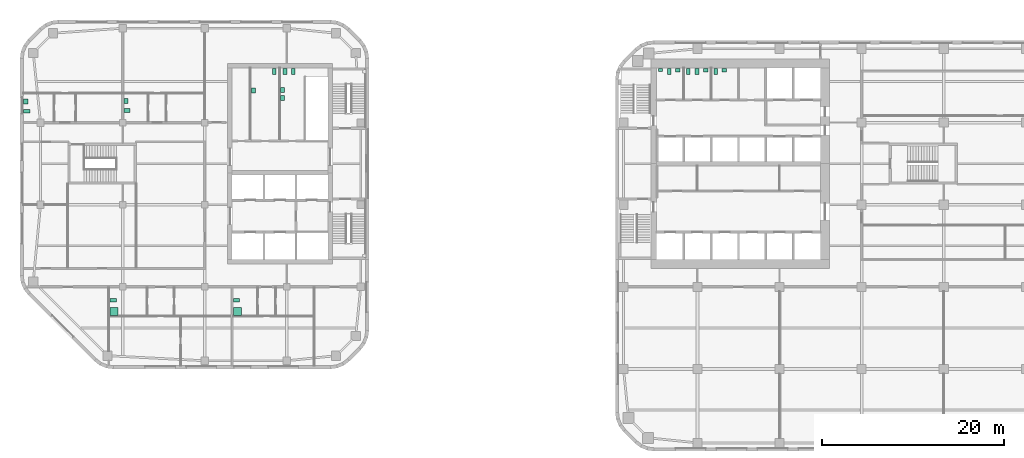
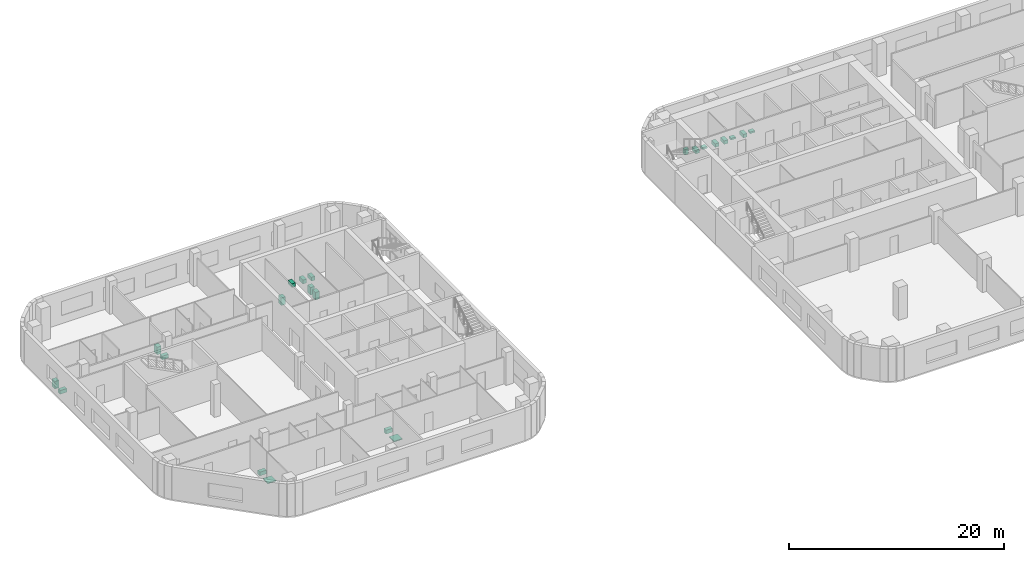
# One storey, part 15 of 15: 22 sanitary terminals.
"""IFC4 building model written with IfcOpenShell, lengths in metres."""

from ifc_helpers import new_model, si_unit, direction, frame, origin, origin_2d, place, context, subcontext, project, spatial, rectangle, extrude, material, type_object, element, save


model = new_model("IFC4")

# Units and contexts
model_context = context("Model", 3, precision=1e-05, world=origin(), true_north=direction((0.0, 1.0)))
body_context = subcontext(model_context, "Body", "Model", "MODEL_VIEW")
ifc_project = project(units=[si_unit("LENGTHUNIT", "METRE"), si_unit("AREAUNIT", "SQUARE_METRE"), si_unit("VOLUMEUNIT", "CUBIC_METRE"), si_unit("PLANEANGLEUNIT", "RADIAN"), si_unit("MASSUNIT", "GRAM", prefix="KILO")], contexts=[model_context])

# Site, building, storey
site_placement = place(None, origin())
site = spatial("IfcSite", under=ifc_project, at=site_placement, CompositionType="ELEMENT")
building_placement = place(site_placement, origin())
building = spatial("IfcBuilding", under=site, at=building_placement, Name="Cinnabar Reach Civic Tower", CompositionType="ELEMENT")
storey_placement = place(building_placement, frame((0.0, 0.0, 91.0)))
storey = spatial("IfcBuildingStorey", under=building, at=storey_placement, Name="L21", CompositionType="ELEMENT", Elevation=91.0)

# Sanitary terminals
ifc_material_1 = material(Name="Vitreous china")
sanitary_terminal_type_1 = type_object("IfcSanitaryTerminalType", Name="T1 WC pan", PredefinedType="TOILETPAN", material=ifc_material_1)
for number, where, z_axis, x_axis, name in (
    (1, (5.9, 41.6, 0.0), (0.0, 0.0, 1.0), (1.0, 0.0, 0.0), "T1 WC pan 2107-2"),
    (2, (8.0, 41.6, 0.0), (0.0, 0.0, 1.0), (1.0, 0.0, 0.0), "T1 WC pan 2108-1"),
    (3, (8.95, 41.6, 0.0), (0.0, 0.0, 1.0), (1.0, 0.0, 0.0), "T1 WC pan 2108-2"),
    (4, (11.0, 41.6, 0.0), (0.0, 0.0, 1.0), (1.0, 0.0, 0.0), "T1 WC pan 2109-1"),
):
    element("IfcSanitaryTerminal", number, at=place(storey_placement, frame(where, z_axis=z_axis, x_axis=x_axis)), inside=storey, type_object=sanitary_terminal_type_1, Name=name, PredefinedType="TOILETPAN", context=body_context, shape_type="SweptSolid", body=[
        extrude(rectangle(XDim=0.4, YDim=0.7, at=origin_2d()), origin(), (0.0, 0.0, 1.0), 0.4),
    ])
sanitary_terminal_type_2 = type_object("IfcSanitaryTerminalType", Name="T1 urinal", PredefinedType="URINAL", material=ifc_material_1)
sanitary_terminal_placement = place(storey_placement, frame((4.95, 41.775, 0.0), z_axis=(0.0, 0.0, 1.0), x_axis=(1.0, 0.0, 0.0)))
element("IfcSanitaryTerminal", 5, at=sanitary_terminal_placement, inside=storey, type_object=sanitary_terminal_type_2, Name="T1 urinal 2107-1", PredefinedType="URINAL", context=body_context, shape_type="SweptSolid", body=[
    extrude(rectangle(XDim=0.4, YDim=0.35, at=origin_2d()), origin(), (0.0, 0.0, 1.0), 0.6),
])
sanitary_terminal_type_3 = type_object("IfcSanitaryTerminalType", Name="T1 wash basin", PredefinedType="WASHHANDBASIN", material=ifc_material_1)
for number, where, z_axis, x_axis, name in (
    (6, (6.85, 41.74, 0.0), (0.0, 0.0, 1.0), (1.0, 0.0, 0.0), "T1 wash basin 2107-3"),
    (7, (9.9, 41.74, 0.0), (0.0, 0.0, 1.0), (1.0, 0.0, 0.0), "T1 wash basin 2108-3"),
    (8, (11.95, 41.74, 0.0), (0.0, 0.0, 1.0), (1.0, 0.0, 0.0), "T1 wash basin 2109-2"),
):
    element("IfcSanitaryTerminal", number, at=place(storey_placement, frame(where, z_axis=z_axis, x_axis=x_axis)), inside=storey, type_object=sanitary_terminal_type_3, Name=name, PredefinedType="WASHHANDBASIN", context=body_context, shape_type="SweptSolid", body=[
        extrude(rectangle(XDim=0.5, YDim=0.42, at=origin_2d()), origin(), (0.0, 0.0, 1.0), 0.2),
    ])
ifc_material_2 = material(Name="Acrylic tray")
sanitary_terminal_type_4 = type_object("IfcSanitaryTerminalType", Name="T2 Shower tray", PredefinedType="SHOWER", material=ifc_material_2)
for number, where, z_axis, x_axis, name in (
    (9, (-54.95, 15.3, 0.0), (0.0, 0.0, 1.0), (1.0, 0.0, 0.0), "Shower tray"),
    (10, (-41.425, 15.3, 0.0), (0.0, 0.0, 1.0), (1.0, 0.0, 0.0), "Shower tray"),
):
    element("IfcSanitaryTerminal", number, at=place(storey_placement, frame(where, z_axis=z_axis, x_axis=x_axis)), inside=storey, type_object=sanitary_terminal_type_4, Name=name, PredefinedType="SHOWER", context=body_context, shape_type="SweptSolid", body=[
        extrude(rectangle(XDim=0.9, YDim=0.9, at=origin_2d()), origin(), (0.0, 0.0, 1.0), 0.1),
    ])
sanitary_terminal_type_5 = type_object("IfcSanitaryTerminalType", Name="T2 WC pan", PredefinedType="TOILETPAN", material=ifc_material_1)
for number, where, z_axis, x_axis, name in (
    (11, (-37.4, 41.6, 0.0), (0.0, 0.0, 1.0), (1.0, 0.0, 0.0), "WC pan"),
    (12, (-36.2, 41.6, 0.0), (0.0, 0.0, 1.0), (1.0, 0.0, 0.0), "WC pan"),
    (13, (-35.3, 41.6, 0.0), (0.0, 0.0, 1.0), (1.0, 0.0, 0.0), "WC pan"),
):
    element("IfcSanitaryTerminal", number, at=place(storey_placement, frame(where, z_axis=z_axis, x_axis=x_axis)), inside=storey, type_object=sanitary_terminal_type_5, Name=name, PredefinedType="TOILETPAN", context=body_context, shape_type="SweptSolid", body=[
        extrude(rectangle(XDim=0.4, YDim=0.7, at=origin_2d()), origin(), (0.0, 0.0, 1.0), 0.42),
    ])
for number, where, z_axis, x_axis, name in (
    (14, (-55.05, 16.55, 0.0), (0.0, 0.0, 1.0), (1.0, 0.0, 0.0), "WC pan"),
    (15, (-41.525, 16.55, 0.0), (0.0, 0.0, 1.0), (1.0, 0.0, 0.0), "WC pan"),
    (16, (-64.49, 37.25, 0.0), (0.0, 0.0, 1.0), (1.0, 0.0, 0.0), "WC pan"),
    (17, (-53.525, 37.325, 0.0), (0.0, 0.0, 1.0), (1.0, 0.0, 0.0), "WC pan"),
):
    element("IfcSanitaryTerminal", number, at=place(storey_placement, frame(where, z_axis=z_axis, x_axis=x_axis)), inside=storey, type_object=sanitary_terminal_type_5, Name=name, PredefinedType="TOILETPAN", context=body_context, shape_type="SweptSolid", body=[
        extrude(rectangle(XDim=0.7, YDim=0.4, at=origin_2d()), origin(), (0.0, 0.0, 1.0), 0.42),
    ])
sanitary_terminal_type_6 = type_object("IfcSanitaryTerminalType", Name="T2 Wash basin", PredefinedType="WASHHANDBASIN", material=ifc_material_1)
for number, where, z_axis, x_axis, name in (
    (18, (-39.675, 39.5, 0.0), (0.0, 0.0, 1.0), (1.0, 0.0, 0.0), "Wash basin"),
    (19, (-36.475, 39.6, 0.0), (0.0, 0.0, 1.0), (1.0, 0.0, 0.0), "Wash basin"),
    (20, (-36.475, 38.7, 0.0), (0.0, 0.0, 1.0), (1.0, 0.0, 0.0), "Wash basin"),
    (21, (-64.615, 38.3, 0.0), (0.0, 0.0, 1.0), (1.0, 0.0, 0.0), "Wash basin"),
    (22, (-53.65, 38.375, 0.0), (0.0, 0.0, 1.0), (1.0, 0.0, 0.0), "Wash basin"),
):
    element("IfcSanitaryTerminal", number, at=place(storey_placement, frame(where, z_axis=z_axis, x_axis=x_axis)), inside=storey, type_object=sanitary_terminal_type_6, Name=name, PredefinedType="WASHHANDBASIN", context=body_context, shape_type="SweptSolid", body=[
        extrude(rectangle(XDim=0.45, YDim=0.55, at=origin_2d()), origin(), (0.0, 0.0, 1.0), 0.85),
    ])

save(model, "model.ifc")
